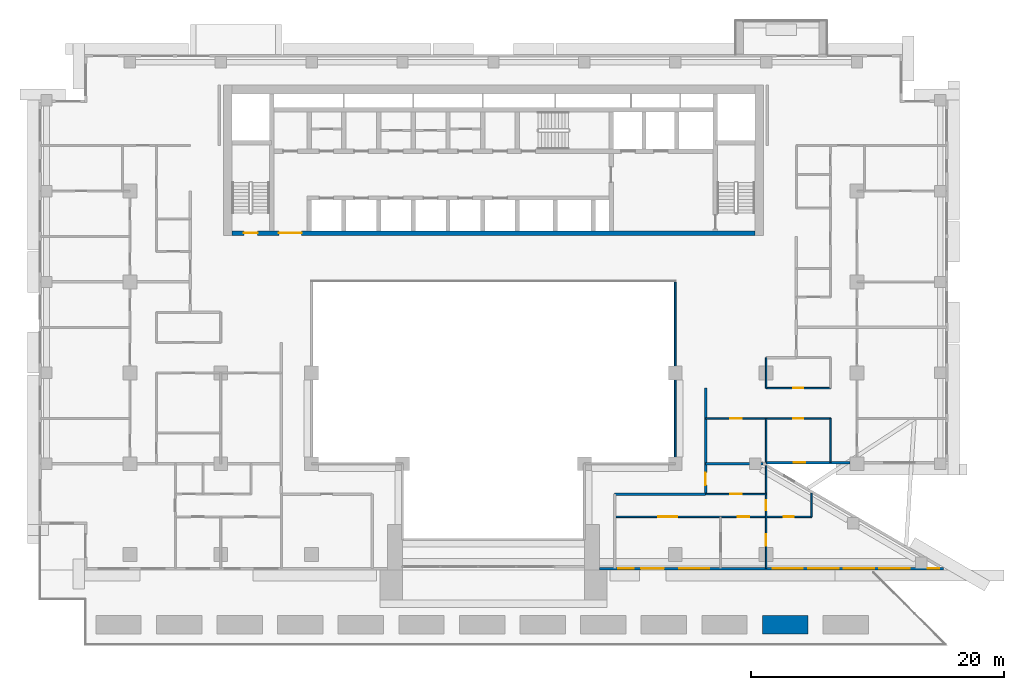
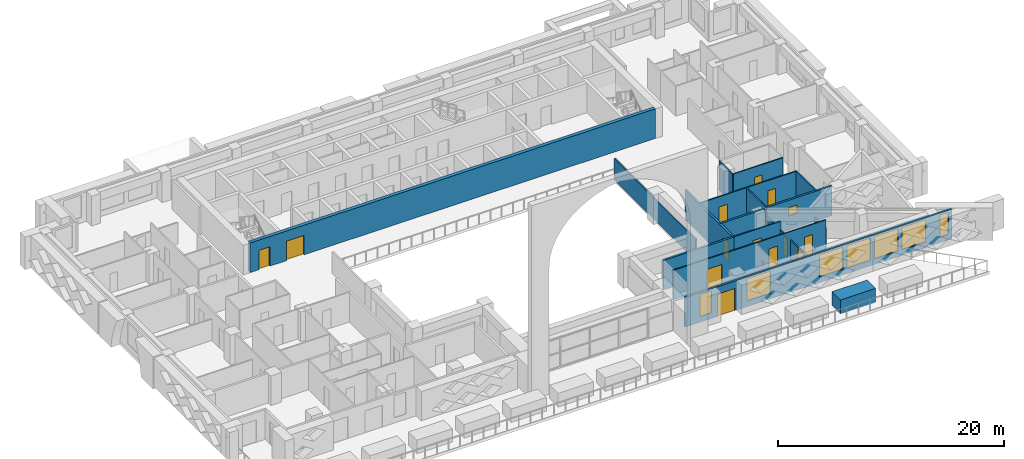
# One storey, part 8 of 17: 17 walls, 13 doors, 8 windows, 21 openings.
"""IFC4 building model written with IfcOpenShell, lengths in metres."""

from ifc_helpers import new_model, si_unit, direction, frame, frame_2d, origin, place, context, subcontext, project, spatial, rectangle, extrude, material, layer, layer_set, type_object, element, fill, save


model = new_model("IFC4")

# Units and contexts
model_context = context("Model", 3, precision=1e-05, world=origin(), true_north=direction((0.0, 1.0)))
body_context = subcontext(model_context, "Body", "Model", "MODEL_VIEW")
ifc_project = project(units=[si_unit("LENGTHUNIT", "METRE"), si_unit("AREAUNIT", "SQUARE_METRE"), si_unit("VOLUMEUNIT", "CUBIC_METRE"), si_unit("PLANEANGLEUNIT", "RADIAN"), si_unit("MASSUNIT", "GRAM", prefix="KILO")], contexts=[model_context])

# Site, building, storey
site_placement = place(None, origin())
site = spatial("IfcSite", under=ifc_project, at=site_placement, CompositionType="ELEMENT")
building_placement = place(site_placement, origin())
building = spatial("IfcBuilding", under=site, at=building_placement, Name="Saffron Iwan Residences", CompositionType="ELEMENT")
storey_placement = place(building_placement, frame((0.0, 0.0, 113.0)))
storey = spatial("IfcBuildingStorey", under=building, at=storey_placement, Name="L29", CompositionType="ELEMENT", Elevation=113.0)

# Wall
ifc_material_1 = material(Name="Fire-rated glazing", Category="glass")
ifc_layer_1 = layer(ifc_material_1, 0.14990234375)
ifc_layer_set_1 = layer_set([ifc_layer_1], Name="Fire-rated glazing")
wall_type_1 = type_object("IfcWallType", Name="Atrium glazed screen 150", PredefinedType="SOLIDWALL", material=ifc_layer_set_1)
wall_1_placement = place(storey_placement, frame((64.800048828125, 48.0, 0.0), z_axis=(0.0, 0.0, 1.0), x_axis=(0.0, 1.0, 0.0)))
element("IfcWall", 1, at=wall_1_placement, inside=storey, type_object=wall_type_1, Name="W-L29-SCREEN-v64.8-48", PredefinedType="SOLIDWALL", context=body_context, shape_type="SweptSolid", body=[
    extrude(rectangle(XDim=14.39990234375, YDim=0.14990234375, at=frame_2d((7.199951171875, 0.0))), origin(), (0.0, 0.0, 1.0), 2.300048828125),
])

# Wall, opening, window
ifc_material_2 = material(Name="Concrete C40/50", Category="concrete")
ifc_layer_2 = layer(ifc_material_2, 0.199951171875)
ifc_layer_set_2 = layer_set([ifc_layer_2], Name="Concrete C40/50")
wall_type_2 = type_object("IfcWallType", Name="EXTERNAL WALL 200", PredefinedType="SOLIDWALL", material=ifc_layer_set_2)
wall_2_placement = place(storey_placement, frame((71.989990234375, 48.10009765625, 0.0), z_axis=(0.0, 0.0, 1.0), x_axis=(1.0, 0.0, 0.0)))
wall_2 = element("IfcWall", 2, at=wall_2_placement, inside=storey, type_object=wall_type_2, Name="External wall L29 F1.0", PredefinedType="SOLIDWALL", context=body_context, shape_type="SweptSolid", body=[
    extrude(rectangle(XDim=6.659912109375, YDim=0.199951171875, at=frame_2d((3.330078125, 0.0))), origin(), (0.0, 0.0, 1.0), 3.199951171875),
])
opening_1_placement = place(wall_2_placement, frame((2.204833984375, 0.0, 1.5)))
opening_1 = element("IfcOpeningElement", 3, at=opening_1_placement, cuts=wall_2, Name="Opening W6", PredefinedType="OPENING", context=body_context, shape_type="SweptSolid", body=[
    extrude(rectangle(XDim=0.89990234375, YDim=0.89990234375, at=frame_2d((0.449951171875, 0.449951171875))), frame((0.0, 0.10986328125, 0.0), z_axis=(0.0, -1.0, 0.0), x_axis=(1.0, 0.0, 0.0)), (0.0, 0.0, 1.0), 0.219970703125),
])
ifc_material_3 = material(Name="Clear glass, laminated double glazed", Category="glass")
window_type_1 = type_object("IfcWindowType", Name="WINDOW 900 x 900 BATH", PartitioningType="SINGLE_PANEL", PredefinedType="WINDOW", material=ifc_material_3)
window_1_placement = place(opening_1_placement, origin())
window_1 = element("IfcWindow", 4, at=window_1_placement, inside=storey, type_object=window_type_1, Name="Window L29 F1.0", OverallHeight=0.89990234375, OverallWidth=0.89990234375, PartitioningType="SINGLE_PANEL", PredefinedType="WINDOW", context=body_context, shape_type="SweptSolid", body=[
    extrude(rectangle(XDim=0.89990234375, YDim=0.89990234375, at=frame_2d((0.449951171875, 0.449951171875))), frame((0.0, 0.030029296875, 0.0), z_axis=(0.0, -1.0, 0.0), x_axis=(1.0, 0.0, 0.0)), (0.0, 0.0, 1.0), 0.06005859375),
])
fill(opening_1, window_1)

# Wall, openings, door, windows
wall_3_placement = place(storey_placement, frame((58.800048828125, 39.699951171875, 0.0), z_axis=(0.0, 0.0, 1.0), x_axis=(1.0, 0.0, 0.0)))
wall_3 = element("IfcWall", 5, at=wall_3_placement, inside=storey, type_object=wall_type_2, Name="External wall L29 F11.1", PredefinedType="SOLIDWALL", context=body_context, shape_type="SweptSolid", body=[
    extrude(rectangle(XDim=27.22998046875, YDim=0.199951171875, at=frame_2d((13.614990234375, 0.0))), origin(), (0.0, 0.0, 1.0), 3.199951171875),
])
opening_2_placement = place(wall_3_placement, frame((3.300048828125, 0.0, 0.0)))
opening_2 = element("IfcOpeningElement", 6, at=opening_2_placement, cuts=wall_3, Name="Opening BD1", PredefinedType="OPENING", context=body_context, shape_type="SweptSolid", body=[
    extrude(rectangle(XDim=1.800048828125, YDim=2.39990234375, at=frame_2d((0.89990234375, 1.199951171875))), frame((0.0, 0.10986328125, 0.0), z_axis=(0.0, -1.0, 0.0), x_axis=(1.0, 0.0, 0.0)), (0.0, 0.0, 1.0), 0.219970703125),
])
opening_3_placement = place(wall_3_placement, frame((1.5, 0.0, 0.60009765625)))
opening_3 = element("IfcOpeningElement", 7, at=opening_3_placement, cuts=wall_3, Name="Opening W3", PredefinedType="OPENING", context=body_context, shape_type="SweptSolid", body=[
    extrude(rectangle(XDim=1.199951171875, YDim=2.39990234375, at=frame_2d((0.60009765625, 1.199951171875))), frame((0.0, 0.10986328125, 0.0), z_axis=(0.0, -1.0, 0.0), x_axis=(1.0, 0.0, 0.0)), (0.0, 0.0, 1.0), 0.219970703125),
])
opening_4_placement = place(wall_3_placement, frame((6.300048828125, 0.0, 0.60009765625)))
opening_4 = element("IfcOpeningElement", 8, at=opening_4_placement, cuts=wall_3, Name="Opening W1", PredefinedType="OPENING", context=body_context, shape_type="SweptSolid", body=[
    extrude(rectangle(XDim=2.39990234375, YDim=2.39990234375, at=frame_2d((1.199951171875, 1.199951171875))), frame((0.0, 0.10986328125, 0.0), z_axis=(0.0, -1.0, 0.0), x_axis=(1.0, 0.0, 0.0)), (0.0, 0.0, 1.0), 0.219970703125),
])
opening_5_placement = place(wall_3_placement, frame((13.715087890625, 0.0, 0.60009765625)))
opening_5 = element("IfcOpeningElement", 9, at=opening_5_placement, cuts=wall_3, Name="Opening W1", PredefinedType="OPENING", context=body_context, shape_type="SweptSolid", body=[
    extrude(rectangle(XDim=2.39990234375, YDim=2.39990234375, at=frame_2d((1.199951171875, 1.199951171875))), frame((0.0, 0.10986328125, 0.0), z_axis=(0.0, -1.0, 0.0), x_axis=(1.0, 0.0, 0.0)), (0.0, 0.0, 1.0), 0.219970703125),
])
opening_6_placement = place(wall_3_placement, frame((16.530517578125, 0.0, 0.60009765625)))
opening_6 = element("IfcOpeningElement", 10, at=opening_6_placement, cuts=wall_3, Name="Opening W1", PredefinedType="OPENING", context=body_context, shape_type="SweptSolid", body=[
    extrude(rectangle(XDim=2.39990234375, YDim=2.39990234375, at=frame_2d((1.199951171875, 1.199951171875))), frame((0.0, 0.10986328125, 0.0), z_axis=(0.0, -1.0, 0.0), x_axis=(1.0, 0.0, 0.0)), (0.0, 0.0, 1.0), 0.219970703125),
])
opening_7_placement = place(wall_3_placement, frame((19.345703125, 0.0, 0.60009765625)))
opening_7 = element("IfcOpeningElement", 11, at=opening_7_placement, cuts=wall_3, Name="Opening W1", PredefinedType="OPENING", context=body_context, shape_type="SweptSolid", body=[
    extrude(rectangle(XDim=2.39990234375, YDim=2.39990234375, at=frame_2d((1.199951171875, 1.199951171875))), frame((0.0, 0.10986328125, 0.0), z_axis=(0.0, -1.0, 0.0), x_axis=(1.0, 0.0, 0.0)), (0.0, 0.0, 1.0), 0.219970703125),
])
opening_8_placement = place(wall_3_placement, frame((22.160888671875, 0.0, 0.60009765625)))
opening_8 = element("IfcOpeningElement", 12, at=opening_8_placement, cuts=wall_3, Name="Opening W1", PredefinedType="OPENING", context=body_context, shape_type="SweptSolid", body=[
    extrude(rectangle(XDim=2.39990234375, YDim=2.39990234375, at=frame_2d((1.199951171875, 1.199951171875))), frame((0.0, 0.10986328125, 0.0), z_axis=(0.0, -1.0, 0.0), x_axis=(1.0, 0.0, 0.0)), (0.0, 0.0, 1.0), 0.219970703125),
])
opening_9_placement = place(wall_3_placement, frame((26.003173828125, 0.0, 0.60009765625)))
opening_9 = element("IfcOpeningElement", 13, at=opening_9_placement, cuts=wall_3, Name="Opening W10", PredefinedType="OPENING", context=body_context, shape_type="SweptSolid", body=[
    extrude(rectangle(XDim=0.89990234375, YDim=2.39990234375, at=frame_2d((0.449951171875, 1.199951171875))), frame((0.0, 0.10986328125, 0.0), z_axis=(0.0, -1.0, 0.0), x_axis=(1.0, 0.0, 0.0)), (0.0, 0.0, 1.0), 0.219970703125),
])
door_type_1 = type_object("IfcDoorType", Name="BALCONY DOOR 1800 x 2400", OperationType="DOUBLE_DOOR_SLIDING", PredefinedType="DOOR", material=ifc_material_3)
door_1_placement = place(opening_2_placement, origin())
door_1 = element("IfcDoor", 14, at=door_1_placement, inside=storey, type_object=door_type_1, Name="Balcony door L29 F11.0", OperationType="DOUBLE_DOOR_SLIDING", OverallHeight=2.39990234375, OverallWidth=1.800048828125, PredefinedType="DOOR", context=body_context, shape_type="SweptSolid", body=[
    extrude(rectangle(XDim=1.800048828125, YDim=2.39990234375, at=frame_2d((0.89990234375, 1.199951171875))), frame((0.0, 0.02490234375, 0.0), z_axis=(0.0, -1.0, 0.0), x_axis=(1.0, 0.0, 0.0)), (0.0, 0.0, 1.0), 0.050048828125),
])
fill(opening_2, door_1)
window_type_2 = type_object("IfcWindowType", Name="WINDOW 1200 x 2400", PartitioningType="SINGLE_PANEL", PredefinedType="WINDOW", material=ifc_material_3)
window_2_placement = place(opening_3_placement, origin())
window_2 = element("IfcWindow", 15, at=window_2_placement, inside=storey, type_object=window_type_2, Name="Window L29 F11.1", OverallHeight=2.39990234375, OverallWidth=1.199951171875, PartitioningType="SINGLE_PANEL", PredefinedType="WINDOW", context=body_context, shape_type="SweptSolid", body=[
    extrude(rectangle(XDim=1.199951171875, YDim=2.39990234375, at=frame_2d((0.60009765625, 1.199951171875))), frame((0.0, 0.030029296875, 0.0), z_axis=(0.0, -1.0, 0.0), x_axis=(1.0, 0.0, 0.0)), (0.0, 0.0, 1.0), 0.06005859375),
])
fill(opening_3, window_2)
window_type_3 = type_object("IfcWindowType", Name="WINDOW 2400 x 2400", PartitioningType="DOUBLE_PANEL_VERTICAL", PredefinedType="WINDOW", material=ifc_material_3)
window_3_placement = place(opening_4_placement, origin())
window_3 = element("IfcWindow", 16, at=window_3_placement, inside=storey, type_object=window_type_3, Name="Window L29 F11.2", OverallHeight=2.39990234375, OverallWidth=2.39990234375, PartitioningType="DOUBLE_PANEL_VERTICAL", PredefinedType="WINDOW", context=body_context, shape_type="SweptSolid", body=[
    extrude(rectangle(XDim=2.39990234375, YDim=2.39990234375, at=frame_2d((1.199951171875, 1.199951171875))), frame((0.0, 0.030029296875, 0.0), z_axis=(0.0, -1.0, 0.0), x_axis=(1.0, 0.0, 0.0)), (0.0, 0.0, 1.0), 0.06005859375),
])
fill(opening_4, window_3)
window_4_placement = place(opening_5_placement, origin())
window_4 = element("IfcWindow", 17, at=window_4_placement, inside=storey, type_object=window_type_3, Name="Window L29 F11.3", OverallHeight=2.39990234375, OverallWidth=2.39990234375, PartitioningType="DOUBLE_PANEL_VERTICAL", PredefinedType="WINDOW", context=body_context, shape_type="SweptSolid", body=[
    extrude(rectangle(XDim=2.39990234375, YDim=2.39990234375, at=frame_2d((1.199951171875, 1.199951171875))), frame((0.0, 0.030029296875, 0.0), z_axis=(0.0, -1.0, 0.0), x_axis=(1.0, 0.0, 0.0)), (0.0, 0.0, 1.0), 0.06005859375),
])
fill(opening_5, window_4)
window_5_placement = place(opening_6_placement, origin())
window_5 = element("IfcWindow", 18, at=window_5_placement, inside=storey, type_object=window_type_3, Name="Window L29 F11.4", OverallHeight=2.39990234375, OverallWidth=2.39990234375, PartitioningType="DOUBLE_PANEL_VERTICAL", PredefinedType="WINDOW", context=body_context, shape_type="SweptSolid", body=[
    extrude(rectangle(XDim=2.39990234375, YDim=2.39990234375, at=frame_2d((1.199951171875, 1.199951171875))), frame((0.0, 0.030029296875, 0.0), z_axis=(0.0, -1.0, 0.0), x_axis=(1.0, 0.0, 0.0)), (0.0, 0.0, 1.0), 0.06005859375),
])
fill(opening_6, window_5)
window_6_placement = place(opening_7_placement, origin())
window_6 = element("IfcWindow", 19, at=window_6_placement, inside=storey, type_object=window_type_3, Name="Window L29 F11.5", OverallHeight=2.39990234375, OverallWidth=2.39990234375, PartitioningType="DOUBLE_PANEL_VERTICAL", PredefinedType="WINDOW", context=body_context, shape_type="SweptSolid", body=[
    extrude(rectangle(XDim=2.39990234375, YDim=2.39990234375, at=frame_2d((1.199951171875, 1.199951171875))), frame((0.0, 0.030029296875, 0.0), z_axis=(0.0, -1.0, 0.0), x_axis=(1.0, 0.0, 0.0)), (0.0, 0.0, 1.0), 0.06005859375),
])
fill(opening_7, window_6)
window_7_placement = place(opening_8_placement, origin())
window_7 = element("IfcWindow", 20, at=window_7_placement, inside=storey, type_object=window_type_3, Name="Window L29 F11.6", OverallHeight=2.39990234375, OverallWidth=2.39990234375, PartitioningType="DOUBLE_PANEL_VERTICAL", PredefinedType="WINDOW", context=body_context, shape_type="SweptSolid", body=[
    extrude(rectangle(XDim=2.39990234375, YDim=2.39990234375, at=frame_2d((1.199951171875, 1.199951171875))), frame((0.0, 0.030029296875, 0.0), z_axis=(0.0, -1.0, 0.0), x_axis=(1.0, 0.0, 0.0)), (0.0, 0.0, 1.0), 0.06005859375),
])
fill(opening_8, window_7)
window_type_4 = type_object("IfcWindowType", Name="WINDOW 900 x 2400", PartitioningType="SINGLE_PANEL", PredefinedType="WINDOW", material=ifc_material_3)
window_8_placement = place(opening_9_placement, origin())
window_8 = element("IfcWindow", 21, at=window_8_placement, inside=storey, type_object=window_type_4, Name="Window L29 F11.7", OverallHeight=2.39990234375, OverallWidth=0.89990234375, PartitioningType="SINGLE_PANEL", PredefinedType="WINDOW", context=body_context, shape_type="SweptSolid", body=[
    extrude(rectangle(XDim=0.89990234375, YDim=2.39990234375, at=frame_2d((0.449951171875, 1.199951171875))), frame((0.0, 0.030029296875, 0.0), z_axis=(0.0, -1.0, 0.0), x_axis=(1.0, 0.0, 0.0)), (0.0, 0.0, 1.0), 0.06005859375),
])
fill(opening_9, window_8)

# Wall
ifc_material_4 = material(Name="Fire-rated gypsum board wall")
ifc_layer_3 = layer(ifc_material_4, 0.199951171875)
ifc_layer_set_3 = layer_set([ifc_layer_3], Name="Fire-rated gypsum board wall")
wall_type_3 = type_object("IfcWallType", Name="Flat demising wall 200", PredefinedType="SOLIDWALL", material=ifc_layer_set_3)
wall_4_placement = place(storey_placement, frame((67.199951171875, 48.0, 0.0), z_axis=(0.0, 0.0, 1.0), x_axis=(1.0, 0.0, 0.0)))
element("IfcWall", 22, at=wall_4_placement, inside=storey, type_object=wall_type_3, Name="W-L29-DEMISE-h48-67.2", PredefinedType="SOLIDWALL", context=body_context, shape_type="SweptSolid", body=[
    extrude(rectangle(XDim=4.552001953125, YDim=0.199951171875, at=frame_2d((2.27587890625, 0.0))), origin(), (0.0, 0.0, 1.0), 3.199951171875),
])

# Wall, openings, doors
ifc_material_5 = material(Name="Gypsum board partition")
ifc_layer_4 = layer(ifc_material_5, 0.1201171875)
ifc_layer_set_4 = layer_set([ifc_layer_4], Name="Gypsum board partition")
wall_type_4 = type_object("IfcWallType", Name="Flat partition 120", PredefinedType="PARTITIONING", material=ifc_layer_set_4)
wall_5_placement = place(storey_placement, frame((60.0, 43.800048828125, 0.0), z_axis=(0.0, 0.0, 1.0), x_axis=(1.0, 0.0, 0.0)))
wall_5 = element("IfcWall", 23, at=wall_5_placement, inside=storey, type_object=wall_type_4, Name="W-L29-PART-h43.8-60", PredefinedType="PARTITIONING", context=body_context, shape_type="SweptSolid", body=[
    extrude(rectangle(XDim=15.60009765625, YDim=0.1201171875, at=frame_2d((7.800048828125, 0.0))), origin(), (0.0, 0.0, 1.0), 3.199951171875),
])
opening_10_placement = place(wall_5_placement, frame((9.75, 0.0, 0.0)))
opening_10 = element("IfcOpeningElement", 24, at=opening_10_placement, cuts=wall_5, Name="Opening FD2", PredefinedType="OPENING", context=body_context, shape_type="SweptSolid", body=[
    extrude(rectangle(XDim=0.89990234375, YDim=2.10009765625, at=frame_2d((0.449951171875, 1.050048828125))), frame((0.0, 0.070068359375, 0.0), z_axis=(0.0, -1.0, 0.0), x_axis=(1.0, 0.0, 0.0)), (0.0, 0.0, 1.0), 0.14013671875),
])
opening_11_placement = place(wall_5_placement, frame((3.449951171875, 0.0, 0.0)))
opening_11 = element("IfcOpeningElement", 25, at=opening_11_placement, cuts=wall_5, Name="Opening FD4", PredefinedType="OPENING", context=body_context, shape_type="SweptSolid", body=[
    extrude(rectangle(XDim=1.5, YDim=2.10009765625, at=frame_2d((0.75, 1.050048828125))), frame((0.0, 0.070068359375, 0.0), z_axis=(0.0, -1.0, 0.0), x_axis=(1.0, 0.0, 0.0)), (0.0, 0.0, 1.0), 0.14013671875),
])
opening_12_placement = place(wall_5_placement, frame((13.39990234375, 0.0, 0.0)))
opening_12 = element("IfcOpeningElement", 26, at=opening_12_placement, cuts=wall_5, Name="Opening FD3", PredefinedType="OPENING", context=body_context, shape_type="SweptSolid", body=[
    extrude(rectangle(XDim=0.800048828125, YDim=2.10009765625, at=frame_2d((0.39990234375, 1.050048828125))), frame((0.0, 0.070068359375, 0.0), z_axis=(0.0, -1.0, 0.0), x_axis=(1.0, 0.0, 0.0)), (0.0, 0.0, 1.0), 0.14013671875),
])
ifc_material_6 = material(Name="Timber door", Category="wood")
door_type_2 = type_object("IfcDoorType", Name="Bathroom door 800", OperationType="NOTDEFINED", PredefinedType="DOOR", material=ifc_material_6)
door_2_placement = place(opening_12_placement, origin())
door_2 = element("IfcDoor", 27, at=door_2_placement, inside=storey, type_object=door_type_2, Name="Door L29-045", OperationType="SINGLE_SWING_LEFT", OverallHeight=2.10009765625, OverallWidth=0.800048828125, PredefinedType="DOOR", context=body_context, shape_type="SweptSolid", body=[
    extrude(rectangle(XDim=0.800048828125, YDim=2.10009765625, at=frame_2d((0.39990234375, 1.050048828125))), frame((0.0, 0.02490234375, 0.0), z_axis=(0.0, -1.0, 0.0), x_axis=(1.0, 0.0, 0.0)), (0.0, 0.0, 1.0), 0.050048828125),
])
fill(opening_12, door_2)
door_type_3 = type_object("IfcDoorType", Name="Double door 1500", OperationType="NOTDEFINED", PredefinedType="DOOR", material=ifc_material_6)
door_3_placement = place(opening_11_placement, origin())
door_3 = element("IfcDoor", 28, at=door_3_placement, inside=storey, type_object=door_type_3, Name="Door L29-042", OperationType="SINGLE_SWING_LEFT", OverallHeight=2.10009765625, OverallWidth=1.5, PredefinedType="DOOR", context=body_context, shape_type="SweptSolid", body=[
    extrude(rectangle(XDim=1.5, YDim=2.10009765625, at=frame_2d((0.75, 1.050048828125))), frame((0.0, 0.02490234375, 0.0), z_axis=(0.0, -1.0, 0.0), x_axis=(1.0, 0.0, 0.0)), (0.0, 0.0, 1.0), 0.050048828125),
])
fill(opening_11, door_3)
door_type_4 = type_object("IfcDoorType", Name="Flat door 900", OperationType="NOTDEFINED", PredefinedType="DOOR", material=ifc_material_6)
door_4_placement = place(opening_10_placement, origin())
door_4 = element("IfcDoor", 29, at=door_4_placement, inside=storey, type_object=door_type_4, Name="Door L29-041", OperationType="SINGLE_SWING_RIGHT", OverallHeight=2.10009765625, OverallWidth=0.89990234375, PredefinedType="DOOR", context=body_context, shape_type="SweptSolid", body=[
    extrude(rectangle(XDim=0.89990234375, YDim=2.10009765625, at=frame_2d((0.449951171875, 1.050048828125))), frame((0.0, 0.02490234375, 0.0), z_axis=(0.0, -1.0, 0.0), x_axis=(1.0, 0.0, 0.0)), (0.0, 0.0, 1.0), 0.050048828125),
])
fill(opening_10, door_4)

# Wall, opening, door
wall_6_placement = place(storey_placement, frame((67.199951171875, 45.60009765625, 0.0), z_axis=(0.0, 0.0, 1.0), x_axis=(1.0, 0.0, 0.0)))
wall_6 = element("IfcWall", 30, at=wall_6_placement, inside=storey, type_object=wall_type_4, Name="W-L29-PART-h45.6-67.2", PredefinedType="PARTITIONING", context=body_context, shape_type="SweptSolid", body=[
    extrude(rectangle(XDim=4.800048828125, YDim=0.1201171875, at=frame_2d((2.39990234375, 0.0))), origin(), (0.0, 0.0, 1.0), 3.199951171875),
])
opening_13_placement = place(wall_6_placement, frame((1.949951171875, 0.0, 0.0)))
opening_13 = element("IfcOpeningElement", 31, at=opening_13_placement, cuts=wall_6, Name="Opening FD2", PredefinedType="OPENING", context=body_context, shape_type="SweptSolid", body=[
    extrude(rectangle(XDim=0.89990234375, YDim=2.10009765625, at=frame_2d((0.449951171875, 1.050048828125))), frame((0.0, 0.070068359375, 0.0), z_axis=(0.0, -1.0, 0.0), x_axis=(1.0, 0.0, 0.0)), (0.0, 0.0, 1.0), 0.14013671875),
])
door_5_placement = place(opening_13_placement, origin())
door_5 = element("IfcDoor", 32, at=door_5_placement, inside=storey, type_object=door_type_4, Name="Door L29-039", OperationType="SINGLE_SWING_LEFT", OverallHeight=2.10009765625, OverallWidth=0.89990234375, PredefinedType="DOOR", context=body_context, shape_type="SweptSolid", body=[
    extrude(rectangle(XDim=0.89990234375, YDim=2.10009765625, at=frame_2d((0.449951171875, 1.050048828125))), frame((0.0, 0.02490234375, 0.0), z_axis=(0.0, -1.0, 0.0), x_axis=(1.0, 0.0, 0.0)), (0.0, 0.0, 1.0), 0.050048828125),
])
fill(opening_13, door_5)

# Wall, openings, doors
wall_7_placement = place(storey_placement, frame((67.199951171875, 51.60009765625, 0.0), z_axis=(0.0, 0.0, 1.0), x_axis=(1.0, 0.0, 0.0)))
wall_7 = element("IfcWall", 33, at=wall_7_placement, inside=storey, type_object=wall_type_4, Name="W-L29-PART-h51.6-67.2", PredefinedType="PARTITIONING", context=body_context, shape_type="SweptSolid", body=[
    extrude(rectangle(XDim=9.900146484375, YDim=0.1201171875, at=frame_2d((4.9501953125, 0.0))), origin(), (0.0, 0.0, 1.0), 3.199951171875),
])
opening_14_placement = place(wall_7_placement, frame((6.949951171875, 0.0, 0.0)))
opening_14 = element("IfcOpeningElement", 34, at=opening_14_placement, cuts=wall_7, Name="Opening FD3", PredefinedType="OPENING", context=body_context, shape_type="SweptSolid", body=[
    extrude(rectangle(XDim=0.800048828125, YDim=2.10009765625, at=frame_2d((0.39990234375, 1.050048828125))), frame((0.0, 0.070068359375, 0.0), z_axis=(0.0, -1.0, 0.0), x_axis=(1.0, 0.0, 0.0)), (0.0, 0.0, 1.0), 0.14013671875),
])
opening_15_placement = place(wall_7_placement, frame((1.949951171875, 0.0, 0.0)))
opening_15 = element("IfcOpeningElement", 35, at=opening_15_placement, cuts=wall_7, Name="Opening FD2", PredefinedType="OPENING", context=body_context, shape_type="SweptSolid", body=[
    extrude(rectangle(XDim=0.89990234375, YDim=2.10009765625, at=frame_2d((0.449951171875, 1.050048828125))), frame((0.0, 0.070068359375, 0.0), z_axis=(0.0, -1.0, 0.0), x_axis=(1.0, 0.0, 0.0)), (0.0, 0.0, 1.0), 0.14013671875),
])
door_6_placement = place(opening_14_placement, origin())
door_6 = element("IfcDoor", 36, at=door_6_placement, inside=storey, type_object=door_type_2, Name="Door L29-019", OperationType="SINGLE_SWING_LEFT", OverallHeight=2.10009765625, OverallWidth=0.800048828125, PredefinedType="DOOR", context=body_context, shape_type="SweptSolid", body=[
    extrude(rectangle(XDim=0.800048828125, YDim=2.10009765625, at=frame_2d((0.39990234375, 1.050048828125))), frame((0.0, 0.02490234375, 0.0), z_axis=(0.0, -1.0, 0.0), x_axis=(1.0, 0.0, 0.0)), (0.0, 0.0, 1.0), 0.050048828125),
])
fill(opening_14, door_6)
door_7_placement = place(opening_15_placement, origin())
door_7 = element("IfcDoor", 37, at=door_7_placement, inside=storey, type_object=door_type_4, Name="Door L29-021", OperationType="SINGLE_SWING_LEFT", OverallHeight=2.10009765625, OverallWidth=0.89990234375, PredefinedType="DOOR", context=body_context, shape_type="SweptSolid", body=[
    extrude(rectangle(XDim=0.89990234375, YDim=2.10009765625, at=frame_2d((0.449951171875, 1.050048828125))), frame((0.0, 0.02490234375, 0.0), z_axis=(0.0, -1.0, 0.0), x_axis=(1.0, 0.0, 0.0)), (0.0, 0.0, 1.0), 0.050048828125),
])
fill(opening_15, door_7)

# Wall, opening, door
wall_8_placement = place(storey_placement, frame((72.0, 54.0, 0.0), z_axis=(0.0, 0.0, 1.0), x_axis=(1.0, 0.0, 0.0)))
wall_8 = element("IfcWall", 38, at=wall_8_placement, inside=storey, type_object=wall_type_4, Name="W-L29-PART-h54-72", PredefinedType="PARTITIONING", context=body_context, shape_type="SweptSolid", body=[
    extrude(rectangle(XDim=5.10009765625, YDim=0.1201171875, at=frame_2d((2.550048828125, 0.0))), origin(), (0.0, 0.0, 1.0), 3.199951171875),
])
opening_16_placement = place(wall_8_placement, frame((2.14990234375, 0.0, 0.0)))
opening_16 = element("IfcOpeningElement", 39, at=opening_16_placement, cuts=wall_8, Name="Opening FD3", PredefinedType="OPENING", context=body_context, shape_type="SweptSolid", body=[
    extrude(rectangle(XDim=0.800048828125, YDim=2.10009765625, at=frame_2d((0.39990234375, 1.050048828125))), frame((0.0, 0.070068359375, 0.0), z_axis=(0.0, -1.0, 0.0), x_axis=(1.0, 0.0, 0.0)), (0.0, 0.0, 1.0), 0.14013671875),
])
door_8_placement = place(opening_16_placement, origin())
door_8 = element("IfcDoor", 40, at=door_8_placement, inside=storey, type_object=door_type_2, Name="Door L29-020", OperationType="SINGLE_SWING_RIGHT", OverallHeight=2.10009765625, OverallWidth=0.800048828125, PredefinedType="DOOR", context=body_context, shape_type="SweptSolid", body=[
    extrude(rectangle(XDim=0.800048828125, YDim=2.10009765625, at=frame_2d((0.39990234375, 1.050048828125))), frame((0.0, 0.02490234375, 0.0), z_axis=(0.0, -1.0, 0.0), x_axis=(1.0, 0.0, 0.0)), (0.0, 0.0, 1.0), 0.050048828125),
])
fill(opening_16, door_8)

# Wall, openings, doors
wall_9_placement = place(storey_placement, frame((72.0, 39.72509765625, 0.0), z_axis=(0.0, 0.0, 1.0), x_axis=(0.0, 1.0, 0.0)))
wall_9 = element("IfcWall", 41, at=wall_9_placement, inside=storey, type_object=wall_type_4, Name="W-L29-PART-v72-39.725", PredefinedType="PARTITIONING", context=body_context, shape_type="SweptSolid", body=[
    extrude(rectangle(XDim=8.1298828125, YDim=0.1201171875, at=frame_2d((4.06494140625, 0.0))), origin(), (0.0, 0.0, 1.0), 2.300048828125),
])
opening_17_placement = place(wall_9_placement, frame((1.78759765625, 0.0, 0.0)))
opening_17 = element("IfcOpeningElement", 42, at=opening_17_placement, cuts=wall_9, Name="Opening FD2", PredefinedType="OPENING", context=body_context, shape_type="SweptSolid", body=[
    extrude(rectangle(XDim=0.89990234375, YDim=2.10009765625, at=frame_2d((0.449951171875, 1.050048828125))), frame((0.0, 0.070068359375, 0.0), z_axis=(0.0, -1.0, 0.0), x_axis=(1.0, 0.0, 0.0)), (0.0, 0.0, 1.0), 0.14013671875),
])
opening_18_placement = place(wall_9_placement, frame((4.574951171875, 0.0, 0.0)))
opening_18 = element("IfcOpeningElement", 43, at=opening_18_placement, cuts=wall_9, Name="Opening FD3", PredefinedType="OPENING", context=body_context, shape_type="SweptSolid", body=[
    extrude(rectangle(XDim=0.800048828125, YDim=2.10009765625, at=frame_2d((0.39990234375, 1.050048828125))), frame((0.0, 0.070068359375, 0.0), z_axis=(0.0, -1.0, 0.0), x_axis=(1.0, 0.0, 0.0)), (0.0, 0.0, 1.0), 0.14013671875),
])
door_9_placement = place(opening_18_placement, origin())
door_9 = element("IfcDoor", 44, at=door_9_placement, inside=storey, type_object=door_type_2, Name="Door L29-044", OperationType="SINGLE_SWING_RIGHT", OverallHeight=2.10009765625, OverallWidth=0.800048828125, PredefinedType="DOOR", context=body_context, shape_type="SweptSolid", body=[
    extrude(rectangle(XDim=0.800048828125, YDim=2.10009765625, at=frame_2d((0.39990234375, 1.050048828125))), frame((0.0, 0.02490234375, 0.0), z_axis=(0.0, -1.0, 0.0), x_axis=(1.0, 0.0, 0.0)), (0.0, 0.0, 1.0), 0.050048828125),
])
fill(opening_18, door_9)
door_10_placement = place(opening_17_placement, origin())
door_10 = element("IfcDoor", 45, at=door_10_placement, inside=storey, type_object=door_type_4, Name="Door L29-043", OperationType="SINGLE_SWING_RIGHT", OverallHeight=2.10009765625, OverallWidth=0.89990234375, PredefinedType="DOOR", context=body_context, shape_type="SweptSolid", body=[
    extrude(rectangle(XDim=0.89990234375, YDim=2.10009765625, at=frame_2d((0.449951171875, 1.050048828125))), frame((0.0, 0.02490234375, 0.0), z_axis=(0.0, -1.0, 0.0), x_axis=(1.0, 0.0, 0.0)), (0.0, 0.0, 1.0), 0.050048828125),
])
fill(opening_17, door_10)

# Walls
wall_10_placement = place(storey_placement, frame((72.0, 48.125, 0.0), z_axis=(0.0, 0.0, 1.0), x_axis=(0.0, 1.0, 0.0)))
element("IfcWall", 46, at=wall_10_placement, inside=storey, type_object=wall_type_4, Name="W-L29-PART-v72-48.125", PredefinedType="PARTITIONING", context=body_context, shape_type="SweptSolid", body=[
    extrude(rectangle(XDim=3.47509765625, YDim=0.1201171875, at=frame_2d((1.737548828125, 0.0))), origin(), (0.0, 0.0, 1.0), 3.199951171875),
])
wall_11_placement = place(storey_placement, frame((72.0, 54.0, 0.0), z_axis=(0.0, 0.0, 1.0), x_axis=(0.0, 1.0, 0.0)))
element("IfcWall", 47, at=wall_11_placement, inside=storey, type_object=wall_type_4, Name="W-L29-PART-v72-54", PredefinedType="PARTITIONING", context=body_context, shape_type="SweptSolid", body=[
    extrude(rectangle(XDim=2.39990234375, YDim=0.1201171875, at=frame_2d((1.199951171875, 0.0))), origin(), (0.0, 0.0, 1.0), 3.199951171875),
])
wall_12_placement = place(storey_placement, frame((75.60009765625, 43.800048828125, 0.0), z_axis=(0.0, 0.0, 1.0), x_axis=(0.0, 1.0, 0.0)))
element("IfcWall", 48, at=wall_12_placement, inside=storey, type_object=wall_type_4, Name="W-L29-PART-v75.6-43.8", PredefinedType="PARTITIONING", context=body_context, shape_type="SweptSolid", body=[
    extrude(rectangle(XDim=1.868408203125, YDim=0.1201171875, at=frame_2d((0.93408203125, 0.0))), origin(), (0.0, 0.0, 1.0), 2.300048828125),
])
wall_13_placement = place(storey_placement, frame((77.10009765625, 48.125, 0.0), z_axis=(0.0, 0.0, 1.0), x_axis=(0.0, 1.0, 0.0)))
element("IfcWall", 49, at=wall_13_placement, inside=storey, type_object=wall_type_4, Name="W-L29-PART-v77.1-48.125", PredefinedType="PARTITIONING", context=body_context, shape_type="SweptSolid", body=[
    extrude(rectangle(XDim=3.47509765625, YDim=0.1201171875, at=frame_2d((1.737548828125, 0.0))), origin(), (0.0, 0.0, 1.0), 3.199951171875),
])
ifc_layer_5 = layer(ifc_material_4, 0.199951171875)
ifc_layer_set_5 = layer_set([ifc_layer_5], Name="Fire-rated gypsum board wall")
wall_type_5 = type_object("IfcWallType", Name="Gallery wall 200", PredefinedType="SOLIDWALL", material=ifc_layer_set_5)
wall_14_placement = place(storey_placement, frame((60.0, 45.60009765625, 0.0), z_axis=(0.0, 0.0, 1.0), x_axis=(1.0, 0.0, 0.0)))
element("IfcWall", 50, at=wall_14_placement, inside=storey, type_object=wall_type_5, Name="W-L29-CORR-h45.6-60", PredefinedType="SOLIDWALL", context=body_context, shape_type="SweptSolid", body=[
    extrude(rectangle(XDim=7.199951171875, YDim=0.199951171875, at=frame_2d((3.60009765625, 0.0))), origin(), (0.0, 0.0, 1.0), 3.199951171875),
])

# Wall, opening, door
wall_15_placement = place(storey_placement, frame((67.199951171875, 45.60009765625, 0.0), z_axis=(0.0, 0.0, 1.0), x_axis=(0.0, 1.0, 0.0)))
wall_15 = element("IfcWall", 51, at=wall_15_placement, inside=storey, type_object=wall_type_5, Name="W-L29-CORR-v67.2-45.6", PredefinedType="SOLIDWALL", context=body_context, shape_type="SweptSolid", body=[
    extrude(rectangle(XDim=8.39990234375, YDim=0.199951171875, at=frame_2d((4.199951171875, 0.0))), origin(), (0.0, 0.0, 1.0), 3.199951171875),
])
opening_19_placement = place(wall_15_placement, frame((0.699951171875, 0.0, 0.0)))
opening_19 = element("IfcOpeningElement", 52, at=opening_19_placement, cuts=wall_15, Name="Opening FD5", PredefinedType="OPENING", context=body_context, shape_type="SweptSolid", body=[
    extrude(rectangle(XDim=1.0, YDim=2.10009765625, at=frame_2d((0.5, 1.050048828125))), frame((0.0, 0.10986328125, 0.0), z_axis=(0.0, -1.0, 0.0), x_axis=(1.0, 0.0, 0.0)), (0.0, 0.0, 1.0), 0.219970703125),
])
ifc_material_7 = material(Name="Fire-rated timber door", Category="wood")
door_type_5 = type_object("IfcDoorType", Name="Lobby door 1000", OperationType="NOTDEFINED", PredefinedType="DOOR", material=ifc_material_7)
door_11_placement = place(opening_19_placement, origin())
door_11 = element("IfcDoor", 53, at=door_11_placement, inside=storey, type_object=door_type_5, Name="Door L29-040", OperationType="SINGLE_SWING_LEFT", OverallHeight=2.10009765625, OverallWidth=1.0, PredefinedType="DOOR", context=body_context, shape_type="SweptSolid", body=[
    extrude(rectangle(XDim=1.0, YDim=2.10009765625, at=frame_2d((0.5, 1.050048828125))), frame((0.0, 0.02490234375, 0.0), z_axis=(0.0, -1.0, 0.0), x_axis=(1.0, 0.0, 0.0)), (0.0, 0.0, 1.0), 0.050048828125),
])
fill(opening_19, door_11)

# Wall
ifc_layer_6 = layer(ifc_material_2, 1.5)
ifc_layer_set_6 = layer_set([ifc_layer_6], Name="Concrete C40/50")
wall_type_6 = type_object("IfcWallType", Name="SKY GARDEN PLANTER 1500", PredefinedType="STANDARD", material=ifc_layer_set_6)
wall_16_placement = place(storey_placement, frame((71.699951171875, 35.25, 0.0), z_axis=(0.0, 0.0, 1.0), x_axis=(1.0, 0.0, 0.0)))
element("IfcWall", 54, at=wall_16_placement, inside=storey, type_object=wall_type_6, Name="PLANTER terrace 12", PredefinedType="STANDARD", context=body_context, shape_type="SweptSolid", body=[
    extrude(rectangle(XDim=3.60009765625, YDim=1.5, at=frame_2d((1.800048828125, 0.0))), origin(), (0.0, 0.0, 1.0), 1.5),
])

# Wall, openings, doors
ifc_material_8 = material(Name="Concrete C50/60", Category="concrete")
ifc_layer_7 = layer(ifc_material_8, 0.35009765625)
ifc_layer_set_7 = layer_set([ifc_layer_7], Name="Concrete C50/60")
wall_type_7 = type_object("IfcWallType", Name="WALL CORE 350 C50/60 3200 HIGH", PredefinedType="SHEAR", material=ifc_layer_set_7)
wall_17_placement = place(storey_placement, frame((29.699951171875, 66.27490234375, 0.0), z_axis=(0.0, 0.0, 1.0), x_axis=(1.0, 0.0, 0.0)))
wall_17 = element("IfcWall", 55, at=wall_17_placement, inside=storey, type_object=wall_type_7, Name="Core wall", PredefinedType="SHEAR", context=body_context, shape_type="SweptSolid", body=[
    extrude(rectangle(XDim=41.400146484375, YDim=0.35009765625, at=frame_2d((20.7001953125, 0.0))), origin(), (0.0, 0.0, 1.0), 3.199951171875),
])
opening_20_placement = place(wall_17_placement, frame((0.925048828125, 0.0, 0.0)))
opening_20 = element("IfcOpeningElement", 56, at=opening_20_placement, cuts=wall_17, Name="Opening SD", PredefinedType="OPENING", context=body_context, shape_type="SweptSolid", body=[
    extrude(rectangle(XDim=1.10009765625, YDim=2.10009765625, at=frame_2d((0.550048828125, 1.050048828125))), frame((0.0, 0.18505859375, 0.0), z_axis=(0.0, -1.0, 0.0), x_axis=(1.0, 0.0, 0.0)), (0.0, 0.0, 1.0), 0.3701171875),
])
opening_21_placement = place(wall_17_placement, frame((3.71240234375, 0.0, 0.0)))
opening_21 = element("IfcOpeningElement", 57, at=opening_21_placement, cuts=wall_17, Name="Opening DD", PredefinedType="OPENING", context=body_context, shape_type="SweptSolid", body=[
    extrude(rectangle(XDim=1.800048828125, YDim=2.10009765625, at=frame_2d((0.89990234375, 1.050048828125))), frame((0.0, 0.18505859375, 0.0), z_axis=(0.0, -1.0, 0.0), x_axis=(1.0, 0.0, 0.0)), (0.0, 0.0, 1.0), 0.3701171875),
])
ifc_material_9 = material(Name="Steel fire door", Category="steel")
door_type_6 = type_object("IfcDoorType", Name="Lobby double door 1800", OperationType="DOUBLE_DOOR_SINGLE_SWING", PredefinedType="DOOR", material=ifc_material_9)
door_12_placement = place(opening_21_placement, origin())
door_12 = element("IfcDoor", 58, at=door_12_placement, inside=storey, type_object=door_type_6, Name="Lobby doors", OperationType="DOUBLE_DOOR_SINGLE_SWING", OverallHeight=2.10009765625, OverallWidth=1.800048828125, PredefinedType="DOOR", context=body_context, shape_type="SweptSolid", body=[
    extrude(rectangle(XDim=1.800048828125, YDim=2.10009765625, at=frame_2d((0.89990234375, 1.050048828125))), frame((0.0, 0.02490234375, 0.0), z_axis=(0.0, -1.0, 0.0), x_axis=(1.0, 0.0, 0.0)), (0.0, 0.0, 1.0), 0.050048828125),
])
fill(opening_21, door_12)
door_type_7 = type_object("IfcDoorType", Name="Stair door 1100", OperationType="NOTDEFINED", PredefinedType="DOOR", material=ifc_material_9)
door_13_placement = place(opening_20_placement, origin())
door_13 = element("IfcDoor", 59, at=door_13_placement, inside=storey, type_object=door_type_7, Name="Stair door ST-W", OperationType="SINGLE_SWING_LEFT", OverallHeight=2.10009765625, OverallWidth=1.10009765625, PredefinedType="DOOR", context=body_context, shape_type="SweptSolid", body=[
    extrude(rectangle(XDim=1.10009765625, YDim=2.10009765625, at=frame_2d((0.550048828125, 1.050048828125))), frame((0.0, 0.02490234375, 0.0), z_axis=(0.0, -1.0, 0.0), x_axis=(1.0, 0.0, 0.0)), (0.0, 0.0, 1.0), 0.050048828125),
])
fill(opening_20, door_13)

save(model, "model.ifc")
